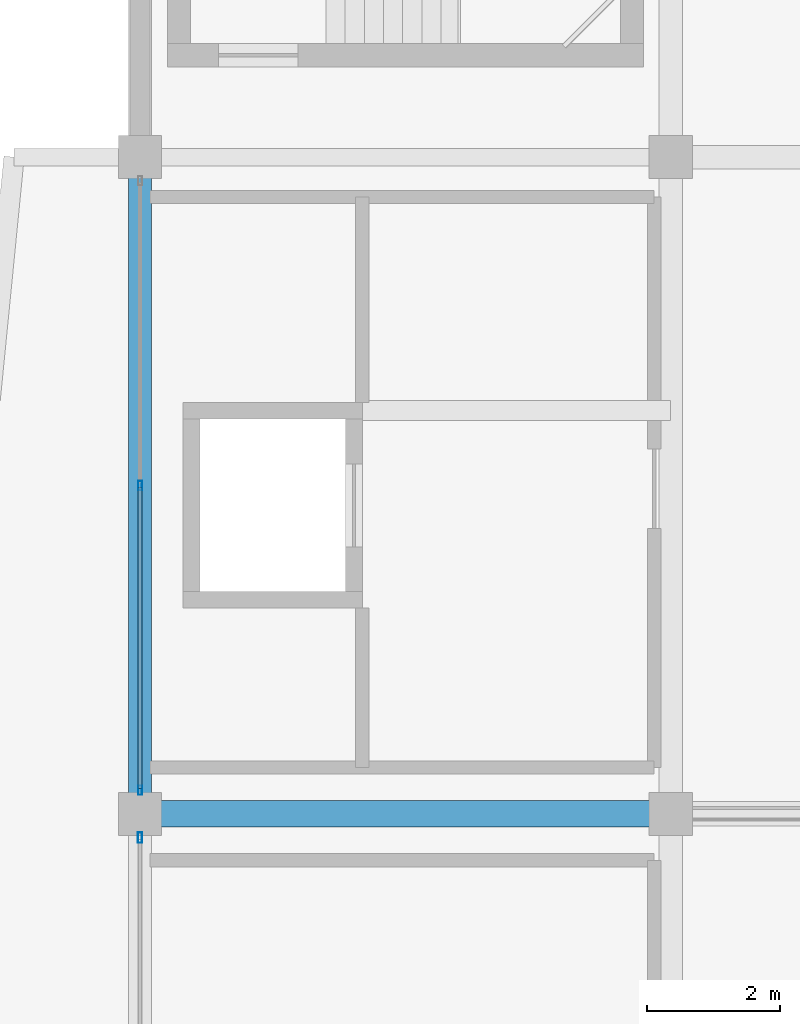
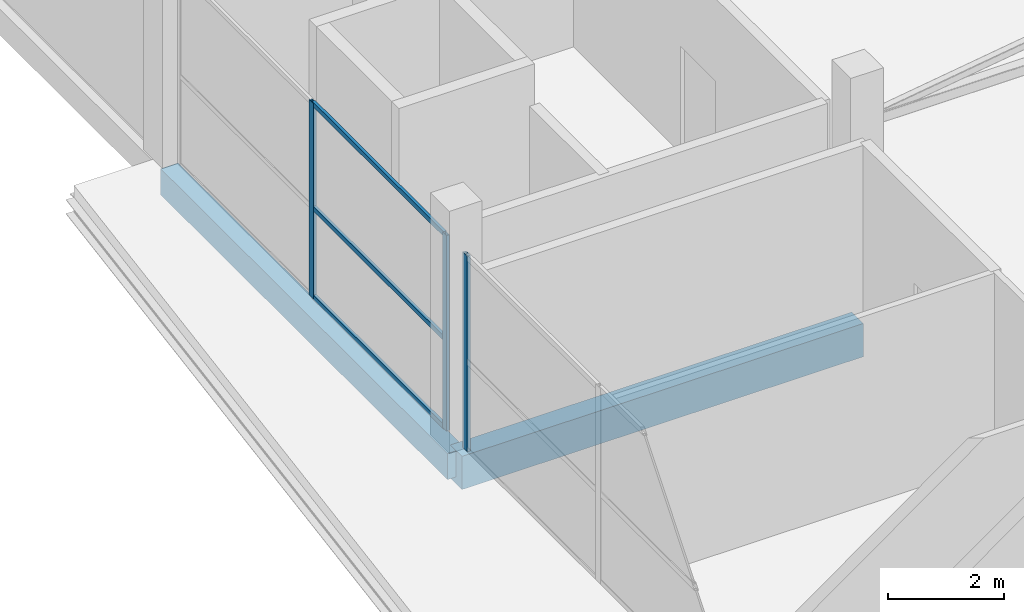
# One storey, part 25 of 66: 6 members, 2 beams, 2 elements without a shape of their own.
"""IFC4 building model written with IfcOpenShell, lengths in metres."""

from ifc_helpers import new_model, si_unit, direction, frame, origin, origin_2d, place, context, subcontext, project, spatial, rectangle, hollow_rectangle, extrude, material, layer, layer_set, material_profile, profile_set, type_object, element, aggregate, save


model = new_model("IFC4")

# Units and contexts
model_context = context("Model", 3, precision=1e-05, world=origin(), true_north=direction((0.0, 1.0)))
body_context = subcontext(model_context, "Body", "Model", "MODEL_VIEW")
ifc_project = project(units=[si_unit("LENGTHUNIT", "METRE"), si_unit("AREAUNIT", "SQUARE_METRE"), si_unit("VOLUMEUNIT", "CUBIC_METRE"), si_unit("PLANEANGLEUNIT", "RADIAN"), si_unit("MASSUNIT", "GRAM", prefix="KILO")], contexts=[model_context])

# Site, building, storey
site_placement = place(None, origin())
site = spatial("IfcSite", under=ifc_project, at=site_placement, CompositionType="ELEMENT")
building_placement = place(site_placement, origin())
building = spatial("IfcBuilding", under=site, at=building_placement, Name="Sillaruma Civic Art Gallery", CompositionType="ELEMENT")
storey_placement = place(building_placement, frame((0.0, 0.0, 57.1201171875)))
storey = spatial("IfcBuildingStorey", under=building, at=storey_placement, Name="L11", CompositionType="ELEMENT", Elevation=57.1201171875)

# Beams
ifc_material_1 = material(Name="Concrete H35 (35 MPa)", Category="concrete")
ifc_material_profile_1 = material_profile(ifc_material_1, rectangle(XDim=0.39990234375, YDim=0.699951171875, at=origin_2d()), Name="RCB400x700")
ifc_profile_set_1 = profile_set([ifc_material_profile_1], Name="Concrete H35 (35 MPa)")
beam_type_1 = type_object("IfcBeamType", Name="BM-BEAM-RCB400x700", PredefinedType="BEAM", material=ifc_profile_set_1)
beam_1_placement = place(storey_placement, frame((62.0, 69.300048828125, -0.60009765625), z_axis=(1.0, 0.0, 0.0), x_axis=(0.0, 1.0, 0.0)))
element("IfcBeam", 1, at=beam_1_placement, inside=storey, type_object=beam_type_1, Name="Beam BM-04 (L10:8:F-G)", PredefinedType="BEAM", context=body_context, shape_type="SweptSolid", body=[
    extrude(rectangle(XDim=0.39990234375, YDim=0.699951171875, at=origin_2d()), origin(), (0.0, 0.0, 1.0), 8.0),
])
ifc_material_profile_2 = material_profile(ifc_material_1, rectangle(XDim=0.35009765625, YDim=0.550048828125, at=origin_2d()), Name="RCB350x550")
ifc_profile_set_2 = profile_set([ifc_material_profile_2], Name="Concrete H35 (35 MPa)")
beam_type_2 = type_object("IfcBeamType", Name="BM-SPANDREL-RCB350x550", PredefinedType="SPANDREL", material=ifc_profile_set_2)
beam_2_placement = place(storey_placement, frame((62.0, 69.300048828125, -0.525146484375), z_axis=(0.0, 1.0, 0.0), x_axis=(-1.0, 0.0, 0.0)))
element("IfcBeam", 2, at=beam_2_placement, inside=storey, type_object=beam_type_2, Name="Beam BS-04 (L10:F:8-9)", PredefinedType="SPANDREL", context=body_context, shape_type="SweptSolid", body=[
    extrude(rectangle(XDim=0.35009765625, YDim=0.550048828125, at=origin_2d()), origin(), (0.0, 0.0, 1.0), 9.89990234375),
])

# Curtain wall, members
ifc_material_2 = material(Name="Thermally Broken Extruded Aluminium 6063-T6", Category="aluminium")
ifc_layer_1 = layer(ifc_material_2, 0.139892578125, Name="Thermally Broken Extruded Aluminium 6063-T6")
ifc_layer_set_1 = layer_set([ifc_layer_1], Name="Thermally Broken Extruded Aluminium 6063-T6")
curtain_wall_type_1 = type_object("IfcCurtainWallType", Name="CW-UNI-71", PredefinedType="NOTDEFINED", material=ifc_layer_set_1)
curtain_wall_1_placement = place(storey_placement, origin())
curtain_wall_1 = element("IfcCurtainWall", 3, at=curtain_wall_1_placement, inside=storey, type_object=curtain_wall_type_1, Name="Unitised Curtain Wall CW-71 (CW-L11-WBW-6)", PredefinedType="NOTDEFINED")
ifc_material_profile_3 = material_profile(ifc_material_2, hollow_rectangle(XDim=0.06005859375, YDim=0.139892578125, WallThickness=0.00341796875, at=origin_2d()), Name="CWM60x140")
ifc_profile_set_3 = profile_set([ifc_material_profile_3], Name="Thermally Broken Extruded Aluminium 6063-T6")
member_type_1 = type_object("IfcMemberType", Name="MEM-MUL-CWM60x140", PredefinedType="MULLION", material=ifc_profile_set_3)
member_1_placement = place(storey_placement, frame((62.0, 69.655029296875, 0.0), z_axis=(0.0, 0.0, 1.0), x_axis=(-1.0, 0.0, 0.0)))
member_1 = element("IfcMember", 4, at=member_1_placement, type_object=member_type_1, Name="CW-71 mullion 1", PredefinedType="MULLION", context=body_context, shape_type="SweptSolid", body=[
    extrude(hollow_rectangle(XDim=0.06005859375, YDim=0.139892578125, WallThickness=0.00341796875, at=origin_2d()), origin(), (0.0, 0.0, 1.0), 4.119873046875),
])
member_2_placement = place(storey_placement, frame((62.0, 74.25, 0.0), z_axis=(0.0, 0.0, 1.0), x_axis=(-1.0, 0.0, 0.0)))
member_2 = element("IfcMember", 5, at=member_2_placement, type_object=member_type_1, Name="CW-71 mullion 2", PredefinedType="MULLION", context=body_context, shape_type="SweptSolid", body=[
    extrude(hollow_rectangle(XDim=0.06005859375, YDim=0.139892578125, WallThickness=0.00341796875, at=origin_2d()), origin(), (0.0, 0.0, 1.0), 4.119873046875),
])

# Curtain wall, member
ifc_layer_2 = layer(ifc_material_2, 0.159912109375, Name="Thermally Broken Extruded Aluminium 6063-T6")
ifc_layer_set_2 = layer_set([ifc_layer_2], Name="Thermally Broken Extruded Aluminium 6063-T6")
curtain_wall_type_2 = type_object("IfcCurtainWallType", Name="CW-UNI-69", PredefinedType="NOTDEFINED", material=ifc_layer_set_2)
curtain_wall_2_placement = place(storey_placement, origin())
curtain_wall_2 = element("IfcCurtainWall", 6, at=curtain_wall_2_placement, inside=storey, type_object=curtain_wall_type_2, Name="Unitised Curtain Wall CW-69 (CW-L11-WBW-5)", PredefinedType="NOTDEFINED")
ifc_material_profile_4 = material_profile(ifc_material_2, hollow_rectangle(XDim=0.06494140625, YDim=0.159912109375, WallThickness=0.00390625, at=origin_2d()), Name="CWM65x160")
ifc_profile_set_4 = profile_set([ifc_material_profile_4], Name="Thermally Broken Extruded Aluminium 6063-T6")
member_type_2 = type_object("IfcMemberType", Name="MEM-MUL-CWM65x160", PredefinedType="MULLION", material=ifc_profile_set_4)
member_3_placement = place(storey_placement, frame((62.0, 68.9423828125, 0.0), z_axis=(0.0, 0.0, 1.0), x_axis=(-1.0, 0.0, 0.0)))
member_3 = element("IfcMember", 7, at=member_3_placement, type_object=member_type_2, Name="CW-69 mullion 3", PredefinedType="MULLION", context=body_context, shape_type="SweptSolid", body=[
    extrude(hollow_rectangle(XDim=0.06494140625, YDim=0.159912109375, WallThickness=0.00390625, at=origin_2d()), origin(), (0.0, 0.0, 1.0), 4.119873046875),
])
aggregate(curtain_wall_2, [member_3])

# Member
ifc_material_profile_5 = material_profile(ifc_material_2, hollow_rectangle(XDim=0.06005859375, YDim=0.10009765625, WallThickness=0.003173828125, at=origin_2d()), Name="CWT60x100")
ifc_profile_set_5 = profile_set([ifc_material_profile_5], Name="Thermally Broken Extruded Aluminium 6063-T6")
member_type_3 = type_object("IfcMemberType", Name="MEM-TRN-CWT60x100", PredefinedType="USERDEFINED", material=ifc_profile_set_5)
member_4_placement = place(storey_placement, frame((62.0, 69.68505859375, 0.02978515625), z_axis=(0.0, 1.0, 0.0), x_axis=(-1.0, 0.0, 0.0)))
member_4 = element("IfcMember", 8, at=member_4_placement, type_object=member_type_3, Name="CW-71 transom 1.1", ObjectType="TRANSOM", PredefinedType="USERDEFINED", context=body_context, shape_type="SweptSolid", body=[
    extrude(hollow_rectangle(XDim=0.06005859375, YDim=0.10009765625, WallThickness=0.003173828125, at=origin_2d()), origin(), (0.0, 0.0, 1.0), 4.534912109375),
])

member_5_placement = place(storey_placement, frame((62.0, 69.68505859375, 1.89501953125), z_axis=(0.0, 1.0, 0.0), x_axis=(-1.0, 0.0, 0.0)))
member_5 = element("IfcMember", 9, at=member_5_placement, type_object=member_type_3, Name="CW-71 transom 1.2", ObjectType="TRANSOM", PredefinedType="USERDEFINED", context=body_context, shape_type="SweptSolid", body=[
    extrude(hollow_rectangle(XDim=0.06005859375, YDim=0.10009765625, WallThickness=0.003173828125, at=origin_2d()), origin(), (0.0, 0.0, 1.0), 4.534912109375),
])

member_6_placement = place(storey_placement, frame((62.0, 69.68505859375, 4.08984375), z_axis=(0.0, 1.0, 0.0), x_axis=(-1.0, 0.0, 0.0)))
member_6 = element("IfcMember", 10, at=member_6_placement, type_object=member_type_3, Name="CW-71 transom 1.3", ObjectType="TRANSOM", PredefinedType="USERDEFINED", context=body_context, shape_type="SweptSolid", body=[
    extrude(hollow_rectangle(XDim=0.06005859375, YDim=0.10009765625, WallThickness=0.003173828125, at=origin_2d()), origin(), (0.0, 0.0, 1.0), 4.534912109375),
])

aggregate(curtain_wall_1, [member_1, member_2, member_4, member_5, member_6])

save(model, "model.ifc")
